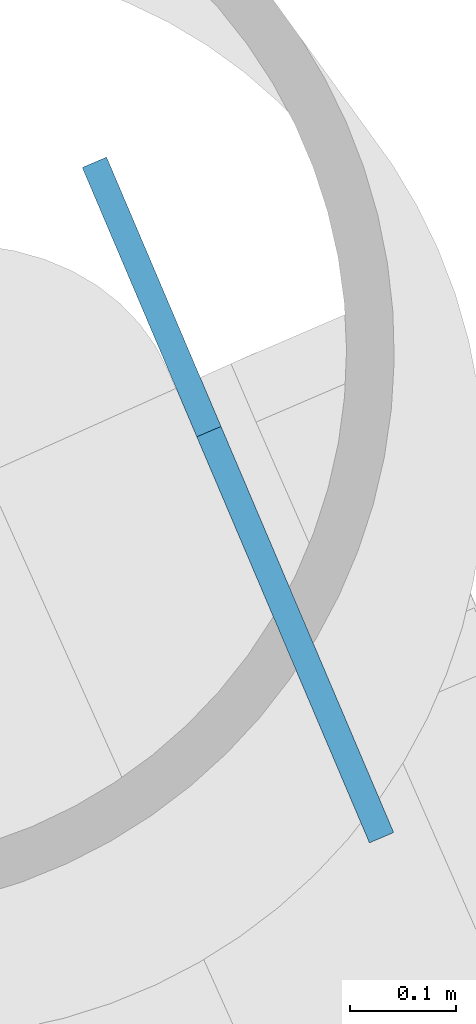
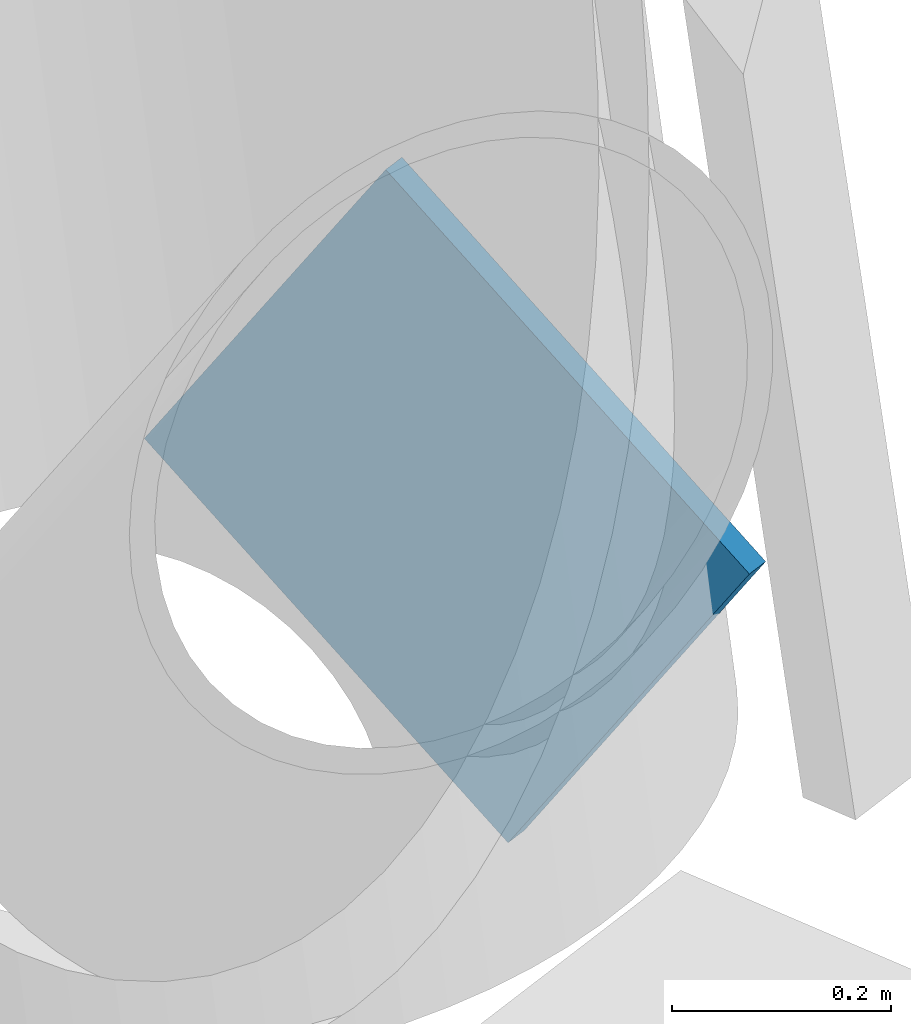
# One storey, part 16 of 24: 1 discrete accessory.
"""IFC4 building model written with IfcOpenShell, lengths in metres."""

from ifc_helpers import new_model, si_unit, direction, frame, origin, origin_2d, place, context, subcontext, project, spatial, rectangle, extrude, material, material_profile, profile_set, type_object, element, save


model = new_model("IFC4")

# Units and contexts
model_context = context("Model", 3, precision=1e-05, world=origin(), true_north=direction((0.0, 1.0)))
body_context = subcontext(model_context, "Body", "Model", "MODEL_VIEW")
ifc_project = project(units=[si_unit("LENGTHUNIT", "METRE"), si_unit("AREAUNIT", "SQUARE_METRE"), si_unit("VOLUMEUNIT", "CUBIC_METRE"), si_unit("PLANEANGLEUNIT", "RADIAN"), si_unit("MASSUNIT", "GRAM", prefix="KILO")], contexts=[model_context])

# Site, building, storey
site_placement = place(None, origin())
site = spatial("IfcSite", under=ifc_project, at=site_placement, CompositionType="ELEMENT")
building_placement = place(site_placement, origin())
building = spatial("IfcBuilding", under=site, at=building_placement, Name="Tarsis Ring Headquarters", CompositionType="ELEMENT")
storey_placement = place(building_placement, frame((0.0, 0.0, 216.0)))
storey = spatial("IfcBuildingStorey", under=building, at=storey_placement, Name="L50", CompositionType="ELEMENT", Elevation=216.0)

# Discrete accessory
ifc_material = material(Name="Structural steel S355", Category="steel")
ifc_material_profile = material_profile(ifc_material, rectangle(XDim=0.02490234375, YDim=0.5, at=origin_2d()), Name="PL 25x500")
ifc_profile_set = profile_set([ifc_material_profile], Name="Structural steel S355")
discrete_accessory_type = type_object("IfcDiscreteAccessoryType", Name="Gusset plate Exo brace 25", PredefinedType="BRACKET", material=ifc_profile_set)
discrete_accessory_placement = place(storey_placement, frame((23.923583984375, 16.931640625, 0.0), z_axis=(0.216268430361, -0.508694592406, 0.83334133324), x_axis=(0.920283222202, 0.391252847827, 0.0)))
element("IfcDiscreteAccessory", 1, at=discrete_accessory_placement, inside=storey, type_object=discrete_accessory_type, Name="Gusset plate GP5", PredefinedType="BRACKET", context=body_context, shape_type="SweptSolid", body=[
    extrude(rectangle(XDim=0.02490234375, YDim=0.5, at=origin_2d()), origin(), (0.0, 0.0, 1.0), 0.5),
])

save(model, "model.ifc")
